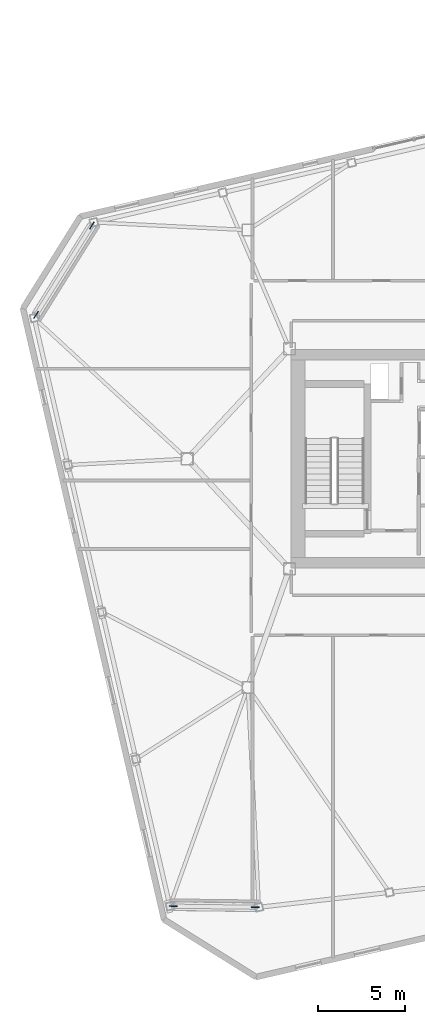
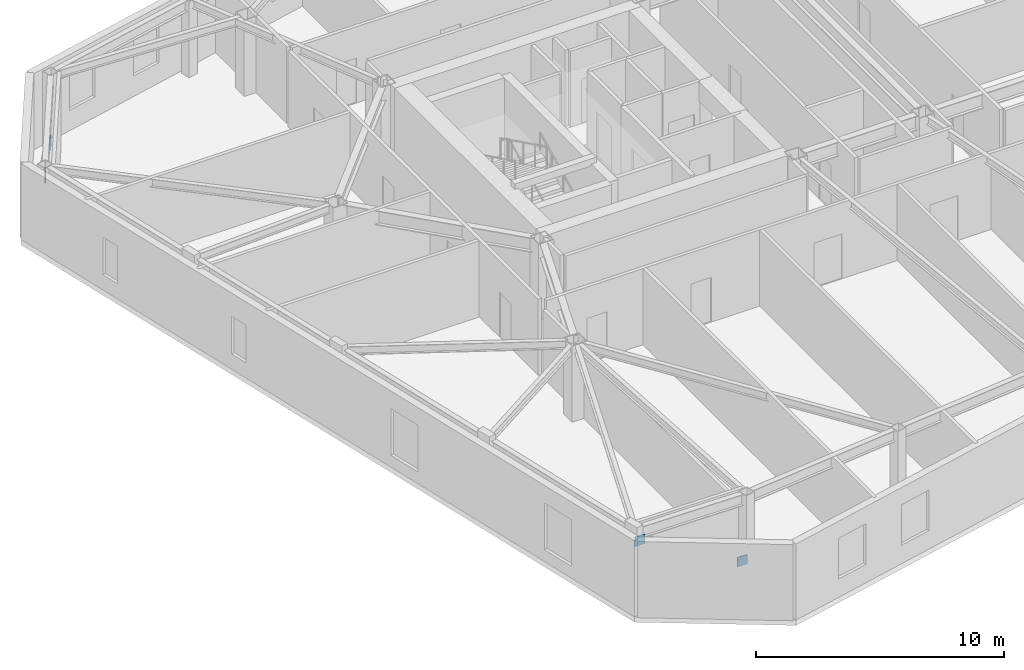
# One storey, part 21 of 23: 4 discrete accessories.
"""IFC4 building model written with IfcOpenShell, lengths in metres."""

from ifc_helpers import new_model, si_unit, direction, frame, origin, origin_2d, place, context, subcontext, project, spatial, rectangle, extrude, material, type_object, element, save


model = new_model("IFC4")

# Units and contexts
model_context = context("Model", 3, precision=1e-05, world=origin(), true_north=direction((0.0, 1.0)))
body_context = subcontext(model_context, "Body", "Model", "MODEL_VIEW")
ifc_project = project(units=[si_unit("LENGTHUNIT", "METRE"), si_unit("AREAUNIT", "SQUARE_METRE"), si_unit("VOLUMEUNIT", "CUBIC_METRE"), si_unit("PLANEANGLEUNIT", "RADIAN"), si_unit("MASSUNIT", "GRAM", prefix="KILO")], contexts=[model_context])

# Site, building, storey
site_placement = place(None, origin())
site = spatial("IfcSite", under=ifc_project, at=site_placement, CompositionType="ELEMENT")
building_placement = place(site_placement, origin())
building = spatial("IfcBuilding", under=site, at=building_placement, Name="Tavrogorsk Clinical Tower", CompositionType="ELEMENT")
storey_placement = place(building_placement, frame((0.0, 0.0, 293.0)))
storey = spatial("IfcBuildingStorey", under=building, at=storey_placement, Name="L68", CompositionType="ELEMENT", Elevation=293.0)

# Discrete accessories
ifc_material = material(Name="Structural steel S440", Category="steel")
discrete_accessory_type = type_object("IfcDiscreteAccessoryType", Name="GussetPlateBracket_25", PredefinedType="BRACKET", material=ifc_material)
for number, where, z_axis, x_axis, name in (
    (1, (-33.501708984375, 13.4638671875, 0.163330078125), (0.0, 0.0, 1.0), (-0.529919264233, -0.848048096156, 0.0), "L68 Brace Gusset Plate EXOCRN-L68-3-A"),
    (2, (-36.72265625, 8.30908203125, 2.81689453125), (0.0, 0.0, 1.0), (-0.529919264233, -0.848048096156, 0.0), "L68 Brace Gusset Plate EXOCRN-L68-3-B"),
    (3, (-24.07080078125, -25.883056640625, 0.182861328125), (0.0, 0.0, 1.0), (-0.999914327574, 0.013089595571, 0.0), "L68 Brace Gusset Plate EXOCRN-L68-4-A"),
    (4, (-28.794677734375, -25.821533203125, 2.797119140625), (0.0, 0.0, 1.0), (-0.999914327574, 0.013089595571, 0.0), "L68 Brace Gusset Plate EXOCRN-L68-4-B"),
):
    element("IfcDiscreteAccessory", number, at=place(storey_placement, frame(where, z_axis=z_axis, x_axis=x_axis)), inside=storey, type_object=discrete_accessory_type, Name=name, PredefinedType="BRACKET", context=body_context, shape_type="SweptSolid", body=[
        extrude(rectangle(XDim=0.4599609375, YDim=0.0400390625, at=origin_2d()), origin(), (0.0, 0.0, 1.0), 0.4599609375),
    ])

save(model, "model.ifc")
